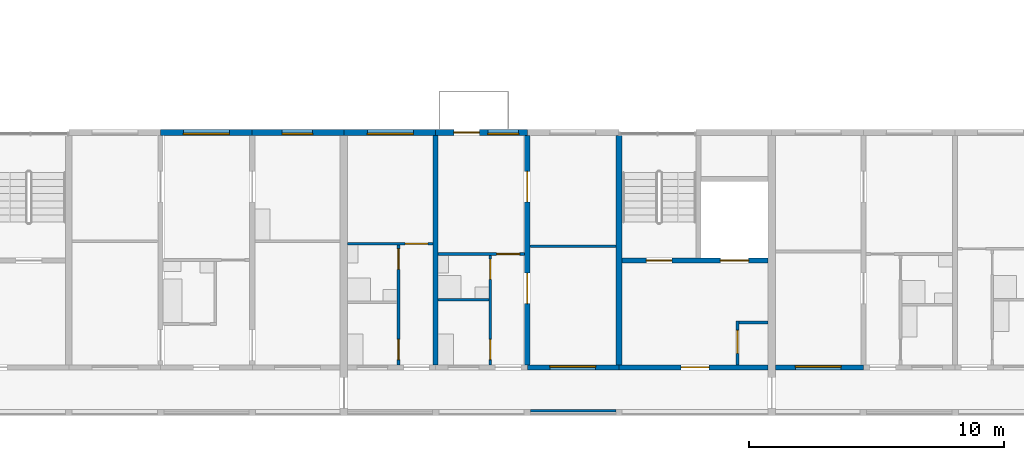
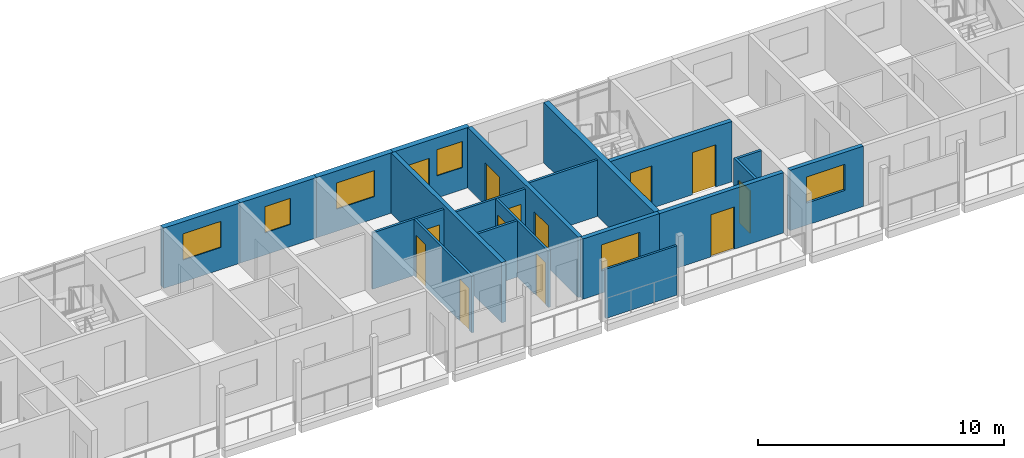
# One storey, part 47 of 93: 20 walls, 13 doors, 6 windows, 19 openings.
"""IFC4 building model written with IfcOpenShell, lengths in metres."""

from ifc_helpers import new_model, si_unit, direction, frame, frame_2d, origin, place, context, subcontext, project, spatial, rectangle, extrude, material, layer, layer_set, type_object, element, fill, save


model = new_model("IFC4")

# Units and contexts
model_context = context("Model", 3, precision=1e-05, world=origin(), true_north=direction((0.0, 1.0)))
body_context = subcontext(model_context, "Body", "Model", "MODEL_VIEW")
ifc_project = project(units=[si_unit("LENGTHUNIT", "METRE"), si_unit("AREAUNIT", "SQUARE_METRE"), si_unit("VOLUMEUNIT", "CUBIC_METRE"), si_unit("PLANEANGLEUNIT", "RADIAN"), si_unit("MASSUNIT", "GRAM", prefix="KILO")], contexts=[model_context])

# Site, building, storey
site_placement = place(None, origin())
site = spatial("IfcSite", under=ifc_project, at=site_placement, CompositionType="ELEMENT")
building_placement = place(site_placement, origin())
building = spatial("IfcBuilding", under=site, at=building_placement, Name="Ridgestep Commons", CompositionType="ELEMENT")
storey_placement = place(building_placement, frame((0.0, 0.0, 18.0)))
storey = spatial("IfcBuildingStorey", under=building, at=storey_placement, Name="L06", CompositionType="ELEMENT", Elevation=18.0)

# Wall
ifc_material_1 = material(Name="Concrete C30/37", Category="concrete")
ifc_layer_1 = layer(ifc_material_1, 0.25)
ifc_layer_set_1 = layer_set([ifc_layer_1], Name="Core cross wall 250")
wall_type_1 = type_object("IfcWallType", Name="Core cross wall 250", PredefinedType="SHEAR", material=ifc_layer_set_1)
wall_1_placement = place(storey_placement, frame((191.199951171875, 13.75, 0.0), z_axis=(0.0, 0.0, 1.0), x_axis=(0.0, 1.0, 0.0)))
element("IfcWall", 1, at=wall_1_placement, inside=storey, type_object=wall_type_1, Name="Cross wall D-06-1912", PredefinedType="SHEAR", context=body_context, shape_type="SweptSolid", body=[
    extrude(rectangle(XDim=9.0, YDim=0.25, at=frame_2d((4.5, 0.0))), origin(), (0.0, 0.0, 1.0), 3.0),
])

# Wall, opening, door
ifc_material_2 = material(Name="Concrete C30/37", Category="concrete")
ifc_layer_2 = layer(ifc_material_2, 0.199951171875)
ifc_layer_set_2 = layer_set([ifc_layer_2], Name="Core south wall 200")
wall_type_2 = type_object("IfcWallType", Name="Core south wall 200", PredefinedType="SHEAR", material=ifc_layer_set_2)
wall_2_placement = place(storey_placement, frame((191.199951171875, 13.64990234375, 0.0), z_axis=(0.0, 0.0, 1.0), x_axis=(1.0, 0.0, 0.0)))
wall_2 = element("IfcWall", 2, at=wall_2_placement, inside=storey, type_object=wall_type_2, Name="Core south wall D3C L06", PredefinedType="SHEAR", context=body_context, shape_type="SweptSolid", body=[
    extrude(rectangle(XDim=5.85009765625, YDim=0.199951171875, at=frame_2d((2.925048828125, 0.0))), origin(), (0.0, 0.0, 1.0), 3.0),
])
opening_1_placement = place(wall_2_placement, frame((2.4375, 0.0, 0.0)))
opening_1 = element("IfcOpeningElement", 3, at=opening_1_placement, cuts=wall_2, Name="Opening D3C/06/1", PredefinedType="OPENING", context=body_context, shape_type="SweptSolid", body=[
    extrude(rectangle(XDim=1.10009765625, YDim=2.10009765625, at=frame_2d((0.550048828125, 1.050048828125))), frame((0.0, 0.10986328125, 0.0), z_axis=(0.0, -1.0, 0.0), x_axis=(1.0, 0.0, 0.0)), (0.0, 0.0, 1.0), 0.219970703125),
])
ifc_material_3 = material(Name="Steel fire door", Category="steel")
door_type_1 = type_object("IfcDoorType", Name="Lobby door 1100 x 2100 FD60", OperationType="NOTDEFINED", PredefinedType="DOOR", material=ifc_material_3)
door_1_placement = place(opening_1_placement, origin())
door_1 = element("IfcDoor", 4, at=door_1_placement, inside=storey, type_object=door_type_1, Name="Lobby door D3C/06/1", OperationType="SINGLE_SWING_LEFT", OverallHeight=2.10009765625, OverallWidth=1.10009765625, PredefinedType="DOOR", context=body_context, shape_type="SweptSolid", body=[
    extrude(rectangle(XDim=1.10009765625, YDim=2.10009765625, at=frame_2d((0.550048828125, 1.050048828125))), frame((0.0, 0.02490234375, 0.0), z_axis=(0.0, -1.0, 0.0), x_axis=(1.0, 0.0, 0.0)), (0.0, 0.0, 1.0), 0.050048828125),
])
fill(opening_1, door_1)

ifc_material_4 = material(Name="Concrete C30/37", Category="concrete")
ifc_layer_3 = layer(ifc_material_4, 0.1201171875)
ifc_layer_set_3 = layer_set([ifc_layer_3], Name="Core wall 120")
wall_type_3 = type_object("IfcWallType", Name="Core wall 120", PredefinedType="SHEAR", material=ifc_layer_set_3)
wall_3_placement = place(storey_placement, frame((195.860107421875, 13.75, 0.0), z_axis=(0.0, 0.0, 1.0), x_axis=(0.0, 1.0, 0.0)))
wall_3 = element("IfcWall", 5, at=wall_3_placement, inside=storey, type_object=wall_type_3, Name="Core riser w wall D3C L06", PredefinedType="SHEAR", context=body_context, shape_type="SweptSolid", body=[
    extrude(rectangle(XDim=1.719970703125, YDim=0.1201171875, at=frame_2d((0.85986328125, 0.0))), origin(), (0.0, 0.0, 1.0), 3.0),
])
opening_2_placement = place(wall_3_placement, frame((0.449951171875, 0.0, 0.0)))
opening_2 = element("IfcOpeningElement", 6, at=opening_2_placement, cuts=wall_3, Name="Opening D3C/06/4", PredefinedType="OPENING", context=body_context, shape_type="SweptSolid", body=[
    extrude(rectangle(XDim=0.89990234375, YDim=2.10009765625, at=frame_2d((0.449951171875, 1.050048828125))), frame((0.0, 0.070068359375, 0.0), z_axis=(0.0, -1.0, 0.0), x_axis=(1.0, 0.0, 0.0)), (0.0, 0.0, 1.0), 0.14013671875),
])
ifc_material_5 = material(Name="Steel fire door", Category="steel")
door_type_2 = type_object("IfcDoorType", Name="Riser door 900 x 2100 FD60", OperationType="NOTDEFINED", PredefinedType="DOOR", material=ifc_material_5)
door_2_placement = place(opening_2_placement, origin())
door_2 = element("IfcDoor", 7, at=door_2_placement, inside=storey, type_object=door_type_2, Name="Riser door D3C/06/4", OperationType="SINGLE_SWING_LEFT", OverallHeight=2.10009765625, OverallWidth=0.89990234375, PredefinedType="DOOR", context=body_context, shape_type="SweptSolid", body=[
    extrude(rectangle(XDim=0.89990234375, YDim=2.10009765625, at=frame_2d((0.449951171875, 1.050048828125))), frame((0.0, 0.02490234375, 0.0), z_axis=(0.0, -1.0, 0.0), x_axis=(1.0, 0.0, 0.0)), (0.0, 0.0, 1.0), 0.050048828125),
])
fill(opening_2, door_2)

# Wall
wall_4_placement = place(storey_placement, frame((195.919921875, 15.409912109375, 0.0), z_axis=(0.0, 0.0, 1.0), x_axis=(1.0, 0.0, 0.0)))
element("IfcWall", 8, at=wall_4_placement, inside=storey, type_object=wall_type_3, Name="Core riser n wall D3C L06", PredefinedType="SHEAR", context=body_context, shape_type="SweptSolid", body=[
    extrude(rectangle(XDim=1.130126953125, YDim=0.1201171875, at=frame_2d((0.56494140625, 0.0))), origin(), (0.0, 0.0, 1.0), 3.0),
])

# Wall, openings, doors
ifc_material_6 = material(Name="Concrete C30/37", Category="concrete")
ifc_layer_4 = layer(ifc_material_6, 0.199951171875)
ifc_layer_set_4 = layer_set([ifc_layer_4], Name="Core wall 200")
wall_type_4 = type_object("IfcWallType", Name="Core wall 200", PredefinedType="SHEAR", material=ifc_layer_set_4)
wall_5_placement = place(storey_placement, frame((191.324951171875, 17.85009765625, 0.0), z_axis=(0.0, 0.0, 1.0), x_axis=(1.0, 0.0, 0.0)))
wall_5 = element("IfcWall", 9, at=wall_5_placement, inside=storey, type_object=wall_type_4, Name="Core lobby wall D3C L06", PredefinedType="SHEAR", context=body_context, shape_type="SweptSolid", body=[
    extrude(rectangle(XDim=5.72509765625, YDim=0.199951171875, at=frame_2d((2.862548828125, 0.0))), origin(), (0.0, 0.0, 1.0), 3.0),
])
opening_3_placement = place(wall_5_placement, frame((0.949951171875, 0.0, 0.0)))
opening_3 = element("IfcOpeningElement", 10, at=opening_3_placement, cuts=wall_5, Name="Opening D3C/06/2", PredefinedType="OPENING", context=body_context, shape_type="SweptSolid", body=[
    extrude(rectangle(XDim=1.0, YDim=2.10009765625, at=frame_2d((0.5, 1.050048828125))), frame((0.0, 0.10986328125, 0.0), z_axis=(0.0, -1.0, 0.0), x_axis=(1.0, 0.0, 0.0)), (0.0, 0.0, 1.0), 0.219970703125),
])
opening_4_placement = place(wall_5_placement, frame((3.862548828125, 0.0, 0.0)))
opening_4 = element("IfcOpeningElement", 11, at=opening_4_placement, cuts=wall_5, Name="Opening D3C/06/3", PredefinedType="OPENING", context=body_context, shape_type="SweptSolid", body=[
    extrude(rectangle(XDim=1.10009765625, YDim=2.10009765625, at=frame_2d((0.550048828125, 1.050048828125))), frame((0.0, 0.10986328125, 0.0), z_axis=(0.0, -1.0, 0.0), x_axis=(1.0, 0.0, 0.0)), (0.0, 0.0, 1.0), 0.219970703125),
])
ifc_material_7 = material(Name="Stainless steel", Category="steel")
door_type_3 = type_object("IfcDoorType", Name="Lift landing door 1100 x 2100 FD60", OperationType="DOUBLE_DOOR_SLIDING", PredefinedType="DOOR", material=ifc_material_7)
door_3_placement = place(opening_4_placement, origin())
door_3 = element("IfcDoor", 12, at=door_3_placement, inside=storey, type_object=door_type_3, Name="Landing door LD D3C L06", OperationType="DOUBLE_DOOR_SLIDING", OverallHeight=2.10009765625, OverallWidth=1.10009765625, PredefinedType="DOOR", context=body_context, shape_type="SweptSolid", body=[
    extrude(rectangle(XDim=1.10009765625, YDim=2.10009765625, at=frame_2d((0.550048828125, 1.050048828125))), frame((0.0, 0.02490234375, 0.0), z_axis=(0.0, -1.0, 0.0), x_axis=(1.0, 0.0, 0.0)), (0.0, 0.0, 1.0), 0.050048828125),
])
fill(opening_4, door_3)
ifc_material_8 = material(Name="Steel fire door", Category="steel")
door_type_4 = type_object("IfcDoorType", Name="Stair door 1000 x 2100 FD60", OperationType="NOTDEFINED", PredefinedType="DOOR", material=ifc_material_8)
door_4_placement = place(opening_3_placement, origin())
door_4 = element("IfcDoor", 13, at=door_4_placement, inside=storey, type_object=door_type_4, Name="Stair door D3C/06/2", OperationType="SINGLE_SWING_RIGHT", OverallHeight=2.10009765625, OverallWidth=1.0, PredefinedType="DOOR", context=body_context, shape_type="SweptSolid", body=[
    extrude(rectangle(XDim=1.0, YDim=2.10009765625, at=frame_2d((0.5, 1.050048828125))), frame((0.0, 0.02490234375, 0.0), z_axis=(0.0, -1.0, 0.0), x_axis=(1.0, 0.0, 0.0)), (0.0, 0.0, 1.0), 0.050048828125),
])
fill(opening_3, door_4)

# Wall
ifc_material_9 = material(Name="Precast concrete C40/50", Category="concrete")
ifc_layer_5 = layer(ifc_material_9, 0.199951171875)
ifc_layer_set_5 = layer_set([ifc_layer_5], Name="Cross wall 200")
wall_type_5 = type_object("IfcWallType", Name="Cross wall 200", PredefinedType="SHEAR", material=ifc_layer_set_5)
wall_6_placement = place(storey_placement, frame((184.0, 13.75, 0.0), z_axis=(0.0, 0.0, 1.0), x_axis=(0.0, 1.0, 0.0)))
element("IfcWall", 14, at=wall_6_placement, inside=storey, type_object=wall_type_5, Name="Cross wall D-06-1840", PredefinedType="SHEAR", context=body_context, shape_type="SweptSolid", body=[
    extrude(rectangle(XDim=9.0, YDim=0.199951171875, at=frame_2d((4.5, 0.0))), origin(), (0.0, 0.0, 1.0), 3.0),
])

# Wall, openings, doors
wall_7_placement = place(storey_placement, frame((187.60009765625, 13.75, 0.0), z_axis=(0.0, 0.0, 1.0), x_axis=(0.0, 1.0, 0.0)))
wall_7 = element("IfcWall", 15, at=wall_7_placement, inside=storey, type_object=wall_type_5, Name="Cross wall D-06-1876", PredefinedType="SHEAR", context=body_context, shape_type="SweptSolid", body=[
    extrude(rectangle(XDim=9.0, YDim=0.199951171875, at=frame_2d((4.5, 0.0))), origin(), (0.0, 0.0, 1.0), 3.0),
])
opening_5_placement = place(wall_7_placement, frame((2.39990234375, 0.0, 0.0)))
opening_5 = element("IfcOpeningElement", 16, at=opening_5_placement, cuts=wall_7, Name="Opening D3-06b/5", PredefinedType="OPENING", context=body_context, shape_type="SweptSolid", body=[
    extrude(rectangle(XDim=1.199951171875, YDim=2.10009765625, at=frame_2d((0.60009765625, 1.050048828125))), frame((0.0, 0.10986328125, 0.0), z_axis=(0.0, -1.0, 0.0), x_axis=(1.0, 0.0, 0.0)), (0.0, 0.0, 1.0), 0.219970703125),
])
opening_6_placement = place(wall_7_placement, frame((6.39990234375, 0.0, 0.0)))
opening_6 = element("IfcOpeningElement", 17, at=opening_6_placement, cuts=wall_7, Name="Opening D3-06b/6", PredefinedType="OPENING", context=body_context, shape_type="SweptSolid", body=[
    extrude(rectangle(XDim=1.199951171875, YDim=2.10009765625, at=frame_2d((0.60009765625, 1.050048828125))), frame((0.0, 0.10986328125, 0.0), z_axis=(0.0, -1.0, 0.0), x_axis=(1.0, 0.0, 0.0)), (0.0, 0.0, 1.0), 0.219970703125),
])
ifc_material_10 = material(Name="Timber door leaf", Category="wood")
door_type_5 = type_object("IfcDoorType", Name="Double door 1200 x 2100", OperationType="DOUBLE_DOOR_SINGLE_SWING", PredefinedType="DOOR", material=ifc_material_10)
door_5_placement = place(opening_5_placement, origin())
door_5 = element("IfcDoor", 18, at=door_5_placement, inside=storey, type_object=door_type_5, Name="Double door D3-06b/5", OperationType="DOUBLE_DOOR_SINGLE_SWING", OverallHeight=2.10009765625, OverallWidth=1.199951171875, PredefinedType="DOOR", context=body_context, shape_type="SweptSolid", body=[
    extrude(rectangle(XDim=1.199951171875, YDim=2.10009765625, at=frame_2d((0.60009765625, 1.050048828125))), frame((0.0, 0.02490234375, 0.0), z_axis=(0.0, -1.0, 0.0), x_axis=(1.0, 0.0, 0.0)), (0.0, 0.0, 1.0), 0.050048828125),
])
fill(opening_5, door_5)
door_6_placement = place(opening_6_placement, origin())
door_6 = element("IfcDoor", 19, at=door_6_placement, inside=storey, type_object=door_type_5, Name="Double door D3-06b/6", OperationType="DOUBLE_DOOR_SINGLE_SWING", OverallHeight=2.10009765625, OverallWidth=1.199951171875, PredefinedType="DOOR", context=body_context, shape_type="SweptSolid", body=[
    extrude(rectangle(XDim=1.199951171875, YDim=2.10009765625, at=frame_2d((0.60009765625, 1.050048828125))), frame((0.0, 0.02490234375, 0.0), z_axis=(0.0, -1.0, 0.0), x_axis=(1.0, 0.0, 0.0)), (0.0, 0.0, 1.0), 0.050048828125),
])
fill(opening_6, door_6)

# Wall, opening, window
ifc_material_11 = material(Name="Precast concrete C40/50", Category="concrete")
ifc_layer_6 = layer(ifc_material_11, 0.25)
ifc_layer_set_6 = layer_set([ifc_layer_6], Name="North facade panel 250")
wall_type_6 = type_object("IfcWallType", Name="North facade panel 250", PredefinedType="SOLIDWALL", material=ifc_layer_set_6)
wall_8_placement = place(storey_placement, frame((173.199951171875, 22.875, 0.0), z_axis=(0.0, 0.0, 1.0), x_axis=(1.0, 0.0, 0.0)))
wall_8 = element("IfcWall", 20, at=wall_8_placement, inside=storey, type_object=wall_type_6, Name="North panel D2T2 L06", PredefinedType="SOLIDWALL", context=body_context, shape_type="SweptSolid", body=[
    extrude(rectangle(XDim=3.60009765625, YDim=0.25, at=frame_2d((1.800048828125, 0.0))), origin(), (0.0, 0.0, 1.0), 3.0),
])
opening_7_placement = place(wall_8_placement, frame((0.89990234375, 0.0, 1.10009765625)))
opening_7 = element("IfcOpeningElement", 21, at=opening_7_placement, cuts=wall_8, Name="Opening W18", PredefinedType="OPENING", context=body_context, shape_type="SweptSolid", body=[
    extrude(rectangle(XDim=1.800048828125, YDim=1.300048828125, at=frame_2d((0.89990234375, 0.64990234375))), frame((0.0, 0.135009765625, 0.0), z_axis=(0.0, -1.0, 0.0), x_axis=(1.0, 0.0, 0.0)), (0.0, 0.0, 1.0), 0.27001953125),
])
ifc_material_12 = material(Name="Aluminium 6063-T6 and glass", Category="aluminium")
window_type_1 = type_object("IfcWindowType", Name="Flat window 1800 x 1300", PartitioningType="DOUBLE_PANEL_VERTICAL", PredefinedType="WINDOW", material=ifc_material_12)
window_1_placement = place(opening_7_placement, origin())
window_1 = element("IfcWindow", 22, at=window_1_placement, inside=storey, type_object=window_type_1, Name="Window D2-06a 5", OverallHeight=1.300048828125, OverallWidth=1.800048828125, PartitioningType="SINGLE_PANEL", PredefinedType="WINDOW", context=body_context, shape_type="SweptSolid", body=[
    extrude(rectangle(XDim=1.800048828125, YDim=1.300048828125, at=frame_2d((0.89990234375, 0.64990234375))), frame((0.0, -0.02490234375, 0.0), z_axis=(0.0, -1.0, 0.0), x_axis=(1.0, 0.0, 0.0)), (0.0, 0.0, 1.0), 0.06005859375),
])
fill(opening_7, window_1)

wall_9_placement = place(storey_placement, frame((176.800048828125, 22.875, 0.0), z_axis=(0.0, 0.0, 1.0), x_axis=(1.0, 0.0, 0.0)))
wall_9 = element("IfcWall", 23, at=wall_9_placement, inside=storey, type_object=wall_type_6, Name="North panel D2T1 L06", PredefinedType="SOLIDWALL", context=body_context, shape_type="SweptSolid", body=[
    extrude(rectangle(XDim=3.599853515625, YDim=0.25, at=frame_2d((1.7998046875, 0.0))), origin(), (0.0, 0.0, 1.0), 3.0),
])
opening_8_placement = place(wall_9_placement, frame((1.175048828125, 0.0, 1.10009765625)))
opening_8 = element("IfcOpeningElement", 24, at=opening_8_placement, cuts=wall_9, Name="Opening W08", PredefinedType="OPENING", context=body_context, shape_type="SweptSolid", body=[
    extrude(rectangle(XDim=1.199951171875, YDim=1.300048828125, at=frame_2d((0.60009765625, 0.64990234375))), frame((0.0, 0.135009765625, 0.0), z_axis=(0.0, -1.0, 0.0), x_axis=(1.0, 0.0, 0.0)), (0.0, 0.0, 1.0), 0.27001953125),
])
ifc_material_13 = material(Name="Aluminium 6063-T6 and glass", Category="aluminium")
window_type_2 = type_object("IfcWindowType", Name="Flat window 1200 x 1300", PartitioningType="SINGLE_PANEL", PredefinedType="WINDOW", material=ifc_material_13)
window_2_placement = place(opening_8_placement, origin())
window_2 = element("IfcWindow", 25, at=window_2_placement, inside=storey, type_object=window_type_2, Name="Window D2-06a 4", OverallHeight=1.300048828125, OverallWidth=1.199951171875, PartitioningType="SINGLE_PANEL", PredefinedType="WINDOW", context=body_context, shape_type="SweptSolid", body=[
    extrude(rectangle(XDim=1.199951171875, YDim=1.300048828125, at=frame_2d((0.60009765625, 0.64990234375))), frame((0.0, -0.02490234375, 0.0), z_axis=(0.0, -1.0, 0.0), x_axis=(1.0, 0.0, 0.0)), (0.0, 0.0, 1.0), 0.06005859375),
])
fill(opening_8, window_2)

wall_10_placement = place(storey_placement, frame((180.39990234375, 22.875, 0.0), z_axis=(0.0, 0.0, 1.0), x_axis=(1.0, 0.0, 0.0)))
wall_10 = element("IfcWall", 26, at=wall_10_placement, inside=storey, type_object=wall_type_6, Name="North panel D3T1 L06", PredefinedType="SOLIDWALL", context=body_context, shape_type="SweptSolid", body=[
    extrude(rectangle(XDim=3.60009765625, YDim=0.25, at=frame_2d((1.800048828125, 0.0))), origin(), (0.0, 0.0, 1.0), 3.0),
])
opening_9_placement = place(wall_10_placement, frame((0.925048828125, 0.0, 1.10009765625)))
opening_9 = element("IfcOpeningElement", 27, at=opening_9_placement, cuts=wall_10, Name="Opening W18", PredefinedType="OPENING", context=body_context, shape_type="SweptSolid", body=[
    extrude(rectangle(XDim=1.800048828125, YDim=1.300048828125, at=frame_2d((0.89990234375, 0.64990234375))), frame((0.0, 0.135009765625, 0.0), z_axis=(0.0, -1.0, 0.0), x_axis=(1.0, 0.0, 0.0)), (0.0, 0.0, 1.0), 0.27001953125),
])
window_3_placement = place(opening_9_placement, origin())
window_3 = element("IfcWindow", 28, at=window_3_placement, inside=storey, type_object=window_type_1, Name="Window D3-06a 2", OverallHeight=1.300048828125, OverallWidth=1.800048828125, PartitioningType="SINGLE_PANEL", PredefinedType="WINDOW", context=body_context, shape_type="SweptSolid", body=[
    extrude(rectangle(XDim=1.800048828125, YDim=1.300048828125, at=frame_2d((0.89990234375, 0.64990234375))), frame((0.0, -0.02490234375, 0.0), z_axis=(0.0, -1.0, 0.0), x_axis=(1.0, 0.0, 0.0)), (0.0, 0.0, 1.0), 0.06005859375),
])
fill(opening_9, window_3)

# Wall, openings, door, window
wall_11_placement = place(storey_placement, frame((184.0, 22.875, 0.0), z_axis=(0.0, 0.0, 1.0), x_axis=(1.0, 0.0, 0.0)))
wall_11 = element("IfcWall", 29, at=wall_11_placement, inside=storey, type_object=wall_type_6, Name="North panel D3T2 L06", PredefinedType="SOLIDWALL", context=body_context, shape_type="SweptSolid", body=[
    extrude(rectangle(XDim=3.60009765625, YDim=0.25, at=frame_2d((1.800048828125, 0.0))), origin(), (0.0, 0.0, 1.0), 3.0),
])
opening_10_placement = place(wall_11_placement, frame((2.056884765625, 0.0, 1.10009765625)))
opening_10 = element("IfcOpeningElement", 30, at=opening_10_placement, cuts=wall_11, Name="Opening W08", PredefinedType="OPENING", context=body_context, shape_type="SweptSolid", body=[
    extrude(rectangle(XDim=1.199951171875, YDim=1.300048828125, at=frame_2d((0.60009765625, 0.64990234375))), frame((0.0, 0.135009765625, 0.0), z_axis=(0.0, -1.0, 0.0), x_axis=(1.0, 0.0, 0.0)), (0.0, 0.0, 1.0), 0.27001953125),
])
opening_11_placement = place(wall_11_placement, frame((0.714111328125, 0.0, 0.0)))
opening_11 = element("IfcOpeningElement", 31, at=opening_11_placement, cuts=wall_11, Name="Opening D3-06b/7", PredefinedType="OPENING", context=body_context, shape_type="SweptSolid", body=[
    extrude(rectangle(XDim=1.0, YDim=2.10009765625, at=frame_2d((0.5, 1.050048828125))), frame((0.0, 0.135009765625, 0.0), z_axis=(0.0, -1.0, 0.0), x_axis=(1.0, 0.0, 0.0)), (0.0, 0.0, 1.0), 0.27001953125),
])
ifc_material_14 = material(Name="Aluminium and glass", Category="aluminium")
door_type_6 = type_object("IfcDoorType", Name="Balcony door 1000 x 2100", OperationType="NOTDEFINED", PredefinedType="DOOR", material=ifc_material_14)
door_7_placement = place(opening_11_placement, origin())
door_7 = element("IfcDoor", 32, at=door_7_placement, inside=storey, type_object=door_type_6, Name="Balcony door D3-06b/7", OperationType="SINGLE_SWING_RIGHT", OverallHeight=2.10009765625, OverallWidth=1.0, PredefinedType="DOOR", context=body_context, shape_type="SweptSolid", body=[
    extrude(rectangle(XDim=1.0, YDim=2.10009765625, at=frame_2d((0.5, 1.050048828125))), frame((0.0, 0.02490234375, 0.0), z_axis=(0.0, -1.0, 0.0), x_axis=(1.0, 0.0, 0.0)), (0.0, 0.0, 1.0), 0.050048828125),
])
fill(opening_11, door_7)
window_4_placement = place(opening_10_placement, origin())
window_4 = element("IfcWindow", 33, at=window_4_placement, inside=storey, type_object=window_type_2, Name="Window D3-06b 4", OverallHeight=1.300048828125, OverallWidth=1.199951171875, PartitioningType="SINGLE_PANEL", PredefinedType="WINDOW", context=body_context, shape_type="SweptSolid", body=[
    extrude(rectangle(XDim=1.199951171875, YDim=1.300048828125, at=frame_2d((0.60009765625, 0.64990234375))), frame((0.0, -0.02490234375, 0.0), z_axis=(0.0, -1.0, 0.0), x_axis=(1.0, 0.0, 0.0)), (0.0, 0.0, 1.0), 0.06005859375),
])
fill(opening_10, window_4)

# Wall, openings, doors
ifc_material_15 = material(Name="Common brick 110 mm", Category="masonry")
ifc_layer_7 = layer(ifc_material_15, 0.110107421875)
ifc_layer_set_7 = layer_set([ifc_layer_7], Name="Partition 110")
wall_type_7 = type_object("IfcWallType", Name="Partition 110", PredefinedType="PARTITIONING", material=ifc_layer_set_7)
wall_12_placement = place(storey_placement, frame((182.544921875, 13.75, 0.0), z_axis=(0.0, 0.0, 1.0), x_axis=(0.0, 1.0, 0.0)))
wall_12 = element("IfcWall", 34, at=wall_12_placement, inside=storey, type_object=wall_type_7, Name="Partition D3-06a", PredefinedType="PARTITIONING", context=body_context, shape_type="SweptSolid", body=[
    extrude(rectangle(XDim=4.699951171875, YDim=0.110107421875, at=frame_2d((2.35009765625, 0.0))), origin(), (0.0, 0.0, 1.0), 2.800048828125),
])
opening_12_placement = place(wall_12_placement, frame((0.199951171875, 0.0, 0.0)))
opening_12 = element("IfcOpeningElement", 35, at=opening_12_placement, cuts=wall_12, Name="Opening D3-06a/2", PredefinedType="OPENING", context=body_context, shape_type="SweptSolid", body=[
    extrude(rectangle(XDim=0.800048828125, YDim=2.10009765625, at=frame_2d((0.39990234375, 1.050048828125))), frame((0.0, 0.06494140625, 0.0), z_axis=(0.0, -1.0, 0.0), x_axis=(1.0, 0.0, 0.0)), (0.0, 0.0, 1.0), 0.130126953125),
])
opening_13_placement = place(wall_12_placement, frame((3.75, 0.0, 0.0)))
opening_13 = element("IfcOpeningElement", 36, at=opening_13_placement, cuts=wall_12, Name="Opening D3-06a/3", PredefinedType="OPENING", context=body_context, shape_type="SweptSolid", body=[
    extrude(rectangle(XDim=0.800048828125, YDim=2.10009765625, at=frame_2d((0.39990234375, 1.050048828125))), frame((0.0, 0.06494140625, 0.0), z_axis=(0.0, -1.0, 0.0), x_axis=(1.0, 0.0, 0.0)), (0.0, 0.0, 1.0), 0.130126953125),
])
ifc_material_16 = material(Name="Timber door leaf", Category="wood")
door_type_7 = type_object("IfcDoorType", Name="Internal door 800 x 2100", OperationType="NOTDEFINED", PredefinedType="DOOR", material=ifc_material_16)
door_8_placement = place(opening_12_placement, origin())
door_8 = element("IfcDoor", 37, at=door_8_placement, inside=storey, type_object=door_type_7, Name="Internal door D3-06a/2", OperationType="SINGLE_SWING_LEFT", OverallHeight=2.10009765625, OverallWidth=0.800048828125, PredefinedType="DOOR", context=body_context, shape_type="SweptSolid", body=[
    extrude(rectangle(XDim=0.800048828125, YDim=2.10009765625, at=frame_2d((0.39990234375, 1.050048828125))), frame((0.0, 0.02490234375, 0.0), z_axis=(0.0, -1.0, 0.0), x_axis=(1.0, 0.0, 0.0)), (0.0, 0.0, 1.0), 0.050048828125),
])
fill(opening_12, door_8)
door_9_placement = place(opening_13_placement, origin())
door_9 = element("IfcDoor", 38, at=door_9_placement, inside=storey, type_object=door_type_7, Name="Internal door D3-06a/3", OperationType="SINGLE_SWING_RIGHT", OverallHeight=2.10009765625, OverallWidth=0.800048828125, PredefinedType="DOOR", context=body_context, shape_type="SweptSolid", body=[
    extrude(rectangle(XDim=0.800048828125, YDim=2.10009765625, at=frame_2d((0.39990234375, 1.050048828125))), frame((0.0, 0.02490234375, 0.0), z_axis=(0.0, -1.0, 0.0), x_axis=(1.0, 0.0, 0.0)), (0.0, 0.0, 1.0), 0.050048828125),
])
fill(opening_13, door_9)

# Wall, opening, door
wall_13_placement = place(storey_placement, frame((180.550048828125, 18.5048828125, 0.0), z_axis=(0.0, 0.0, 1.0), x_axis=(1.0, 0.0, 0.0)))
wall_13 = element("IfcWall", 39, at=wall_13_placement, inside=storey, type_object=wall_type_7, Name="Partition D3-06a", PredefinedType="PARTITIONING", context=body_context, shape_type="SweptSolid", body=[
    extrude(rectangle(XDim=3.349853515625, YDim=0.110107421875, at=frame_2d((1.6748046875, 0.0))), origin(), (0.0, 0.0, 1.0), 2.800048828125),
])
opening_14_placement = place(wall_13_placement, frame((2.25, 0.0, 0.0)))
opening_14 = element("IfcOpeningElement", 40, at=opening_14_placement, cuts=wall_13, Name="Opening D3-06a/4", PredefinedType="OPENING", context=body_context, shape_type="SweptSolid", body=[
    extrude(rectangle(XDim=0.89990234375, YDim=2.10009765625, at=frame_2d((0.449951171875, 1.050048828125))), frame((0.0, 0.06494140625, 0.0), z_axis=(0.0, -1.0, 0.0), x_axis=(1.0, 0.0, 0.0)), (0.0, 0.0, 1.0), 0.130126953125),
])
ifc_material_17 = material(Name="Timber door leaf", Category="wood")
door_type_8 = type_object("IfcDoorType", Name="Internal door 900 x 2100", OperationType="NOTDEFINED", PredefinedType="DOOR", material=ifc_material_17)
door_10_placement = place(opening_14_placement, origin())
door_10 = element("IfcDoor", 41, at=door_10_placement, inside=storey, type_object=door_type_8, Name="Internal door D3-06a/4", OperationType="SINGLE_SWING_LEFT", OverallHeight=2.10009765625, OverallWidth=0.89990234375, PredefinedType="DOOR", context=body_context, shape_type="SweptSolid", body=[
    extrude(rectangle(XDim=0.89990234375, YDim=2.10009765625, at=frame_2d((0.449951171875, 1.050048828125))), frame((0.0, 0.02490234375, 0.0), z_axis=(0.0, -1.0, 0.0), x_axis=(1.0, 0.0, 0.0)), (0.0, 0.0, 1.0), 0.050048828125),
])
fill(opening_14, door_10)

# Wall
wall_14_placement = place(storey_placement, frame((184.10009765625, 16.304931640625, 0.0), z_axis=(0.0, 0.0, 1.0), x_axis=(1.0, 0.0, 0.0)))
element("IfcWall", 42, at=wall_14_placement, inside=storey, type_object=wall_type_7, Name="Partition D3-06b", PredefinedType="PARTITIONING", context=body_context, shape_type="SweptSolid", body=[
    extrude(rectangle(XDim=1.989990234375, YDim=0.110107421875, at=frame_2d((0.9951171875, 0.0))), origin(), (0.0, 0.0, 1.0), 2.800048828125),
])

# Wall, openings, doors
wall_15_placement = place(storey_placement, frame((186.14501953125, 13.75, 0.0), z_axis=(0.0, 0.0, 1.0), x_axis=(0.0, 1.0, 0.0)))
wall_15 = element("IfcWall", 43, at=wall_15_placement, inside=storey, type_object=wall_type_7, Name="Partition D3-06b", PredefinedType="PARTITIONING", context=body_context, shape_type="SweptSolid", body=[
    extrude(rectangle(XDim=4.300048828125, YDim=0.110107421875, at=frame_2d((2.14990234375, 0.0))), origin(), (0.0, 0.0, 1.0), 2.800048828125),
])
opening_15_placement = place(wall_15_placement, frame((0.199951171875, 0.0, 0.0)))
opening_15 = element("IfcOpeningElement", 44, at=opening_15_placement, cuts=wall_15, Name="Opening D3-06b/2", PredefinedType="OPENING", context=body_context, shape_type="SweptSolid", body=[
    extrude(rectangle(XDim=0.800048828125, YDim=2.10009765625, at=frame_2d((0.39990234375, 1.050048828125))), frame((0.0, 0.06494140625, 0.0), z_axis=(0.0, -1.0, 0.0), x_axis=(1.0, 0.0, 0.0)), (0.0, 0.0, 1.0), 0.130126953125),
])
opening_16_placement = place(wall_15_placement, frame((3.35009765625, 0.0, 0.0)))
opening_16 = element("IfcOpeningElement", 45, at=opening_16_placement, cuts=wall_15, Name="Opening D3-06b/3", PredefinedType="OPENING", context=body_context, shape_type="SweptSolid", body=[
    extrude(rectangle(XDim=0.800048828125, YDim=2.10009765625, at=frame_2d((0.39990234375, 1.050048828125))), frame((0.0, 0.06494140625, 0.0), z_axis=(0.0, -1.0, 0.0), x_axis=(1.0, 0.0, 0.0)), (0.0, 0.0, 1.0), 0.130126953125),
])
door_11_placement = place(opening_15_placement, origin())
door_11 = element("IfcDoor", 46, at=door_11_placement, inside=storey, type_object=door_type_7, Name="Internal door D3-06b/2", OperationType="SINGLE_SWING_LEFT", OverallHeight=2.10009765625, OverallWidth=0.800048828125, PredefinedType="DOOR", context=body_context, shape_type="SweptSolid", body=[
    extrude(rectangle(XDim=0.800048828125, YDim=2.10009765625, at=frame_2d((0.39990234375, 1.050048828125))), frame((0.0, 0.02490234375, 0.0), z_axis=(0.0, -1.0, 0.0), x_axis=(1.0, 0.0, 0.0)), (0.0, 0.0, 1.0), 0.050048828125),
])
fill(opening_15, door_11)
door_12_placement = place(opening_16_placement, origin())
door_12 = element("IfcDoor", 47, at=door_12_placement, inside=storey, type_object=door_type_7, Name="Internal door D3-06b/3", OperationType="SINGLE_SWING_RIGHT", OverallHeight=2.10009765625, OverallWidth=0.800048828125, PredefinedType="DOOR", context=body_context, shape_type="SweptSolid", body=[
    extrude(rectangle(XDim=0.800048828125, YDim=2.10009765625, at=frame_2d((0.39990234375, 1.050048828125))), frame((0.0, 0.02490234375, 0.0), z_axis=(0.0, -1.0, 0.0), x_axis=(1.0, 0.0, 0.0)), (0.0, 0.0, 1.0), 0.050048828125),
])
fill(opening_16, door_12)

# Wall, opening, door
wall_16_placement = place(storey_placement, frame((184.10009765625, 18.10498046875, 0.0), z_axis=(0.0, 0.0, 1.0), x_axis=(1.0, 0.0, 0.0)))
wall_16 = element("IfcWall", 48, at=wall_16_placement, inside=storey, type_object=wall_type_7, Name="Partition D3-06b", PredefinedType="PARTITIONING", context=body_context, shape_type="SweptSolid", body=[
    extrude(rectangle(XDim=3.39990234375, YDim=0.110107421875, at=frame_2d((1.699951171875, 0.0))), origin(), (0.0, 0.0, 1.0), 2.800048828125),
])
opening_17_placement = place(wall_16_placement, frame((2.300048828125, 0.0, 0.0)))
opening_17 = element("IfcOpeningElement", 49, at=opening_17_placement, cuts=wall_16, Name="Opening D3-06b/4", PredefinedType="OPENING", context=body_context, shape_type="SweptSolid", body=[
    extrude(rectangle(XDim=0.89990234375, YDim=2.10009765625, at=frame_2d((0.449951171875, 1.050048828125))), frame((0.0, 0.06494140625, 0.0), z_axis=(0.0, -1.0, 0.0), x_axis=(1.0, 0.0, 0.0)), (0.0, 0.0, 1.0), 0.130126953125),
])
door_13_placement = place(opening_17_placement, origin())
door_13 = element("IfcDoor", 50, at=door_13_placement, inside=storey, type_object=door_type_8, Name="Internal door D3-06b/4", OperationType="SINGLE_SWING_LEFT", OverallHeight=2.10009765625, OverallWidth=0.89990234375, PredefinedType="DOOR", context=body_context, shape_type="SweptSolid", body=[
    extrude(rectangle(XDim=0.89990234375, YDim=2.10009765625, at=frame_2d((0.449951171875, 1.050048828125))), frame((0.0, 0.02490234375, 0.0), z_axis=(0.0, -1.0, 0.0), x_axis=(1.0, 0.0, 0.0)), (0.0, 0.0, 1.0), 0.050048828125),
])
fill(opening_17, door_13)

# Walls
wall_17_placement = place(storey_placement, frame((187.699951171875, 18.405029296875, 0.0), z_axis=(0.0, 0.0, 1.0), x_axis=(1.0, 0.0, 0.0)))
element("IfcWall", 51, at=wall_17_placement, inside=storey, type_object=wall_type_7, Name="Partition D3-06b", PredefinedType="PARTITIONING", context=body_context, shape_type="SweptSolid", body=[
    extrude(rectangle(XDim=3.375, YDim=0.110107421875, at=frame_2d((1.6875, 0.0))), origin(), (0.0, 0.0, 1.0), 2.800048828125),
])
ifc_material_18 = material(Name="Precast concrete C30/37", Category="concrete")
ifc_layer_8 = layer(ifc_material_18, 0.10009765625)
ifc_layer_set_8 = layer_set([ifc_layer_8], Name="Perforated gallery screen 3350 x 2450 x 100")
wall_type_8 = type_object("IfcWallType", Name="Perforated gallery screen 3350 x 2450 x 100", PredefinedType="SOLIDWALL", material=ifc_layer_set_8)
wall_18_placement = place(storey_placement, frame((187.72509765625, 11.949951171875, 0.0), z_axis=(0.0, 0.0, 1.0), x_axis=(1.0, 0.0, 0.0)))
element("IfcWall", 52, at=wall_18_placement, inside=storey, type_object=wall_type_8, Name="Gallery screen D3T3 06", PredefinedType="SOLIDWALL", context=body_context, shape_type="SweptSolid", body=[
    extrude(rectangle(XDim=3.349853515625, YDim=0.10009765625, at=frame_2d((1.6748046875, 0.0))), origin(), (0.0, 0.0, 1.0), 2.449951171875),
])

# Wall, opening, window
ifc_material_19 = material(Name="Precast concrete C40/50", Category="concrete")
ifc_layer_9 = layer(ifc_material_19, 0.199951171875)
ifc_layer_set_9 = layer_set([ifc_layer_9], Name="South facade panel 200")
wall_type_9 = type_object("IfcWallType", Name="South facade panel 200", PredefinedType="SOLIDWALL", material=ifc_layer_set_9)
wall_19_placement = place(storey_placement, frame((187.60009765625, 13.64990234375, 0.0), z_axis=(0.0, 0.0, 1.0), x_axis=(1.0, 0.0, 0.0)))
wall_19 = element("IfcWall", 53, at=wall_19_placement, inside=storey, type_object=wall_type_9, Name="South panel D3T3 L06", PredefinedType="SOLIDWALL", context=body_context, shape_type="SweptSolid", body=[
    extrude(rectangle(XDim=3.599853515625, YDim=0.199951171875, at=frame_2d((1.7998046875, 0.0))), origin(), (0.0, 0.0, 1.0), 3.0),
])
opening_18_placement = place(wall_19_placement, frame((0.887451171875, 0.0, 1.10009765625)))
opening_18 = element("IfcOpeningElement", 54, at=opening_18_placement, cuts=wall_19, Name="Opening W18", PredefinedType="OPENING", context=body_context, shape_type="SweptSolid", body=[
    extrude(rectangle(XDim=1.800048828125, YDim=1.300048828125, at=frame_2d((0.89990234375, 0.64990234375))), frame((0.0, 0.10986328125, 0.0), z_axis=(0.0, -1.0, 0.0), x_axis=(1.0, 0.0, 0.0)), (0.0, 0.0, 1.0), 0.219970703125),
])
window_5_placement = place(opening_18_placement, origin())
window_5 = element("IfcWindow", 55, at=window_5_placement, inside=storey, type_object=window_type_1, Name="Window D3-06b 1", OverallHeight=1.300048828125, OverallWidth=1.800048828125, PartitioningType="SINGLE_PANEL", PredefinedType="WINDOW", context=body_context, shape_type="SweptSolid", body=[
    extrude(rectangle(XDim=1.800048828125, YDim=1.300048828125, at=frame_2d((0.89990234375, 0.64990234375))), frame((0.0, 0.06005859375, 0.0), z_axis=(0.0, -1.0, 0.0), x_axis=(1.0, 0.0, 0.0)), (0.0, 0.0, 1.0), 0.06005859375),
])
fill(opening_18, window_5)

wall_20_placement = place(storey_placement, frame((197.35009765625, 13.64990234375, 0.0), z_axis=(0.0, 0.0, 1.0), x_axis=(1.0, 0.0, 0.0)))
wall_20 = element("IfcWall", 56, at=wall_20_placement, inside=storey, type_object=wall_type_9, Name="South panel D4T1 L06", PredefinedType="SOLIDWALL", context=body_context, shape_type="SweptSolid", body=[
    extrude(rectangle(XDim=3.449951171875, YDim=0.199951171875, at=frame_2d((1.72509765625, 0.0))), origin(), (0.0, 0.0, 1.0), 3.0),
])
opening_19_placement = place(wall_20_placement, frame((0.77490234375, 0.0, 1.10009765625)))
opening_19 = element("IfcOpeningElement", 57, at=opening_19_placement, cuts=wall_20, Name="Opening W18", PredefinedType="OPENING", context=body_context, shape_type="SweptSolid", body=[
    extrude(rectangle(XDim=1.800048828125, YDim=1.300048828125, at=frame_2d((0.89990234375, 0.64990234375))), frame((0.0, 0.10986328125, 0.0), z_axis=(0.0, -1.0, 0.0), x_axis=(1.0, 0.0, 0.0)), (0.0, 0.0, 1.0), 0.219970703125),
])
window_6_placement = place(opening_19_placement, origin())
window_6 = element("IfcWindow", 58, at=window_6_placement, inside=storey, type_object=window_type_1, Name="Window D4-06a 1", OverallHeight=1.300048828125, OverallWidth=1.800048828125, PartitioningType="SINGLE_PANEL", PredefinedType="WINDOW", context=body_context, shape_type="SweptSolid", body=[
    extrude(rectangle(XDim=1.800048828125, YDim=1.300048828125, at=frame_2d((0.89990234375, 0.64990234375))), frame((0.0, 0.06005859375, 0.0), z_axis=(0.0, -1.0, 0.0), x_axis=(1.0, 0.0, 0.0)), (0.0, 0.0, 1.0), 0.06005859375),
])
fill(opening_19, window_6)

save(model, "model.ifc")
